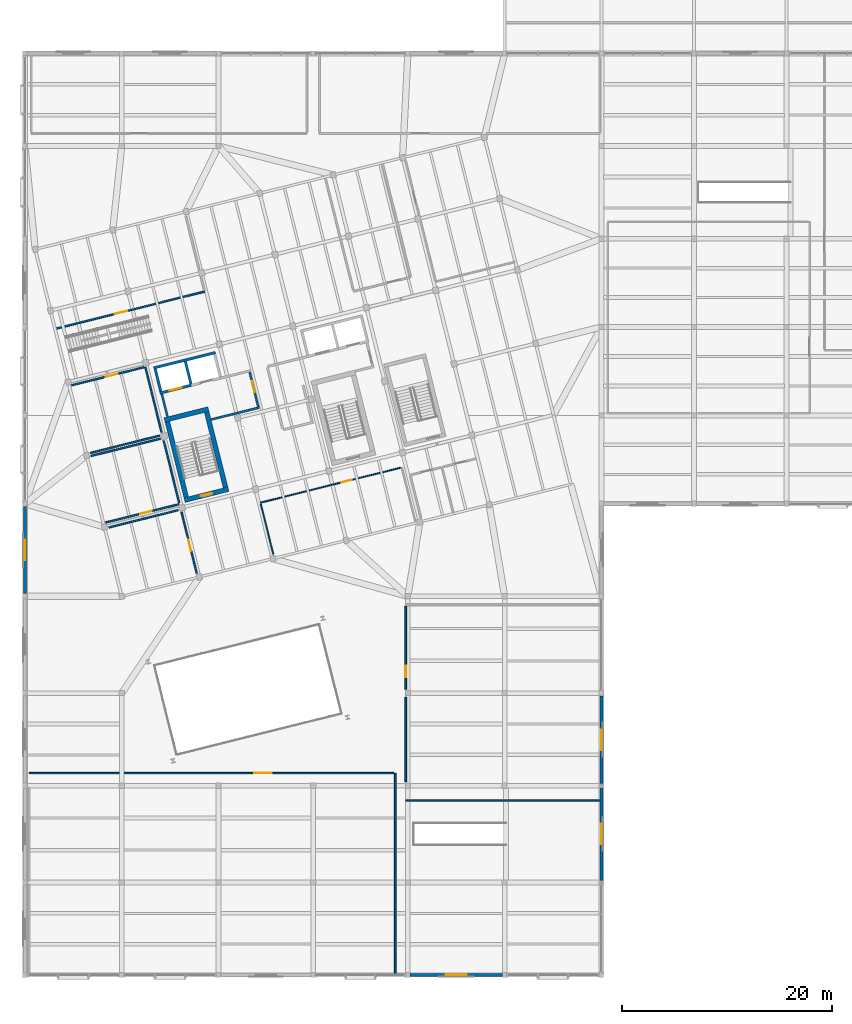
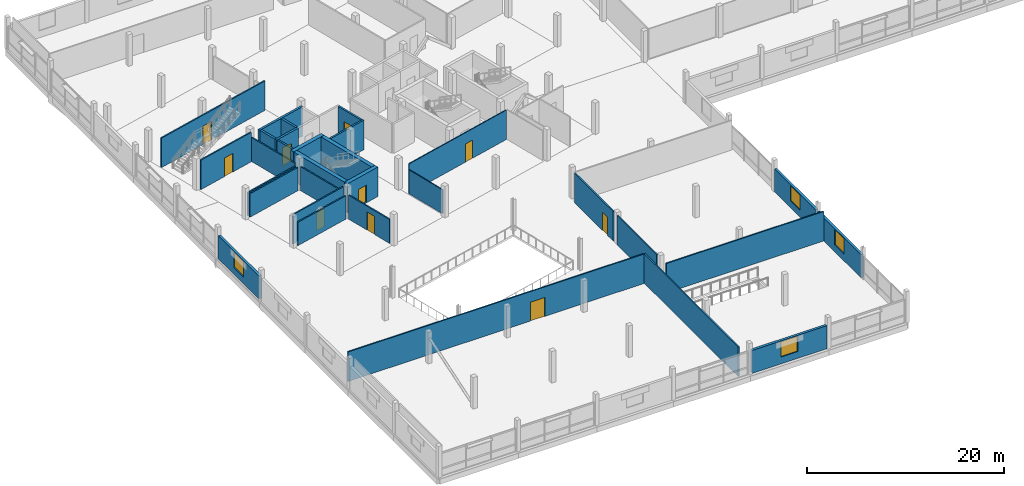
# One storey, part 51 of 62: 31 walls, 10 doors, 4 windows, 14 openings.
"""IFC4 building model written with IfcOpenShell, lengths in metres."""

from ifc_helpers import new_model, si_unit, direction, frame, frame_2d, origin, place, context, subcontext, project, spatial, rectangle, extrude, material, layer, layer_set, type_object, element, fill, save


model = new_model("IFC4")

# Units and contexts
model_context = context("Model", 3, precision=1e-05, world=origin(), true_north=direction((0.0, 1.0)))
body_context = subcontext(model_context, "Body", "Model", "MODEL_VIEW")
ifc_project = project(units=[si_unit("LENGTHUNIT", "METRE"), si_unit("AREAUNIT", "SQUARE_METRE"), si_unit("VOLUMEUNIT", "CUBIC_METRE"), si_unit("PLANEANGLEUNIT", "RADIAN"), si_unit("MASSUNIT", "GRAM", prefix="KILO")], contexts=[model_context])

# Site, building, storey
site_placement = place(None, origin())
site = spatial("IfcSite", under=ifc_project, at=site_placement, CompositionType="ELEMENT")
building_placement = place(site_placement, origin())
building = spatial("IfcBuilding", under=site, at=building_placement, Name="Meriwether Solvik Hall", CompositionType="ELEMENT")
storey_placement = place(building_placement, frame((0.0, 0.0, 14.39990234375)))
storey = spatial("IfcBuildingStorey", under=building, at=storey_placement, Name="L03", CompositionType="ELEMENT", Elevation=14.39990234375)

# Wall, opening, window
ifc_material_1 = material(Name="Cross-Laminated Timber and Mineral-Wool Insulation", Category="wood")
ifc_layer_1 = layer(ifc_material_1, 0.2900390625)
ifc_layer_set_1 = layer_set([ifc_layer_1], Name="Cross-Laminated Timber and Mineral-Wool Insulation")
wall_type_1 = type_object("IfcWallType", Name="WALL-EXT-290", PredefinedType="SOLIDWALL", material=ifc_layer_set_1)
wall_1_placement = place(storey_placement, frame((104.778076171875, 5.199951171875, 0.0), z_axis=(0.0, 0.0, 1.0), x_axis=(-1.0, 0.0, 0.0)))
wall_1 = element("IfcWall", 1, at=wall_1_placement, inside=storey, type_object=wall_type_1, Name="L03 S Wing Facade Wall XA_11_4", PredefinedType="SOLIDWALL", context=body_context, shape_type="SweptSolid", body=[
    extrude(rectangle(XDim=8.756103515625, YDim=0.2900390625, at=frame_2d((4.3779296875, 0.0))), origin(), (0.0, 0.0, 1.0), 2.85498046875),
])
opening_1_placement = place(wall_1_placement, frame((3.403076171875, 0.0, 0.85009765625)))
opening_1 = element("IfcOpeningElement", 2, at=opening_1_placement, cuts=wall_1, Name="Opening WN-158", PredefinedType="OPENING", context=body_context, shape_type="SweptSolid", body=[
    extrude(rectangle(XDim=1.949951171875, YDim=1.89990234375, at=frame_2d((0.97509765625, 0.949951171875))), frame((0.0, 0.156982421875, 0.0), z_axis=(0.0, -1.0, 0.0), x_axis=(1.0, 0.0, 0.0)), (0.0, 0.0, 1.0), 0.31396484375),
])
ifc_material_2 = material(Name="Thermally Broken Anodised Aluminium and Triple Low-E Glass", Category="aluminium")
window_type = type_object("IfcWindowType", Name="WIN-TW-LOW-195X190", PartitioningType="SINGLE_PANEL", PredefinedType="WINDOW", material=ifc_material_2)
window_1_placement = place(opening_1_placement, origin())
window_1 = element("IfcWindow", 3, at=window_1_placement, inside=storey, type_object=window_type, Name="L03 S Window XA_11_4", OverallHeight=1.89990234375, OverallWidth=1.949951171875, PartitioningType="SINGLE_PANEL", PredefinedType="WINDOW", context=body_context, shape_type="SweptSolid", body=[
    extrude(rectangle(XDim=1.949951171875, YDim=1.89990234375, at=frame_2d((0.97509765625, 0.949951171875))), frame((0.0, 0.030029296875, 0.0), z_axis=(0.0, -1.0, 0.0), x_axis=(1.0, 0.0, 0.0)), (0.0, 0.0, 1.0), 0.06005859375),
])
fill(opening_1, window_1)

wall_2_placement = place(storey_placement, frame((59.39990234375, 41.45947265625, 0.0), z_axis=(0.0, 0.0, 1.0), x_axis=(0.0, 1.0, 0.0)))
wall_2 = element("IfcWall", 4, at=wall_2_placement, inside=storey, type_object=wall_type_1, Name="L03 W Wing Facade Wall Y7_5_28", PredefinedType="SOLIDWALL", context=body_context, shape_type="SweptSolid", body=[
    extrude(rectangle(XDim=8.281005859375, YDim=0.2900390625, at=frame_2d((4.140625, 0.0))), origin(), (0.0, 0.0, 1.0), 2.85498046875),
])
opening_2_placement = place(wall_2_placement, frame((3.16552734375, 0.0, 0.85009765625)))
opening_2 = element("IfcOpeningElement", 5, at=opening_2_placement, cuts=wall_2, Name="Opening WN-158", PredefinedType="OPENING", context=body_context, shape_type="SweptSolid", body=[
    extrude(rectangle(XDim=1.949951171875, YDim=1.89990234375, at=frame_2d((0.97509765625, 0.949951171875))), frame((0.0, 0.156982421875, 0.0), z_axis=(0.0, -1.0, 0.0), x_axis=(1.0, 0.0, 0.0)), (0.0, 0.0, 1.0), 0.31396484375),
])
window_2_placement = place(opening_2_placement, origin())
window_2 = element("IfcWindow", 6, at=window_2_placement, inside=storey, type_object=window_type, Name="L03 W Window Y7_5_28", OverallHeight=1.89990234375, OverallWidth=1.949951171875, PartitioningType="SINGLE_PANEL", PredefinedType="WINDOW", context=body_context, shape_type="SweptSolid", body=[
    extrude(rectangle(XDim=1.949951171875, YDim=1.89990234375, at=frame_2d((0.97509765625, 0.949951171875))), frame((0.0, 0.030029296875, 0.0), z_axis=(0.0, -1.0, 0.0), x_axis=(1.0, 0.0, 0.0)), (0.0, 0.0, 1.0), 0.06005859375),
])
fill(opening_2, window_2)

wall_3_placement = place(storey_placement, frame((114.199951171875, 23.010009765625, 0.0), z_axis=(0.0, 0.0, 1.0), x_axis=(0.0, -1.0, 0.0)))
wall_3 = element("IfcWall", 7, at=wall_3_placement, inside=storey, type_object=wall_type_1, Name="L03 E Wing Facade Wall Y13_2_35", PredefinedType="SOLIDWALL", context=body_context, shape_type="SweptSolid", body=[
    extrude(rectangle(XDim=8.820068359375, YDim=0.2900390625, at=frame_2d((4.41015625, 0.0))), origin(), (0.0, 0.0, 1.0), 2.85498046875),
])
opening_3_placement = place(wall_3_placement, frame((3.43505859375, 0.0, 0.85009765625)))
opening_3 = element("IfcOpeningElement", 8, at=opening_3_placement, cuts=wall_3, Name="Opening WN-158", PredefinedType="OPENING", context=body_context, shape_type="SweptSolid", body=[
    extrude(rectangle(XDim=1.949951171875, YDim=1.89990234375, at=frame_2d((0.97509765625, 0.949951171875))), frame((0.0, 0.156982421875, 0.0), z_axis=(0.0, -1.0, 0.0), x_axis=(1.0, 0.0, 0.0)), (0.0, 0.0, 1.0), 0.31396484375),
])
window_3_placement = place(opening_3_placement, origin())
window_3 = element("IfcWindow", 9, at=window_3_placement, inside=storey, type_object=window_type, Name="L03 E Window Y13_2_35", OverallHeight=1.89990234375, OverallWidth=1.949951171875, PartitioningType="SINGLE_PANEL", PredefinedType="WINDOW", context=body_context, shape_type="SweptSolid", body=[
    extrude(rectangle(XDim=1.949951171875, YDim=1.89990234375, at=frame_2d((0.97509765625, 0.949951171875))), frame((0.0, 0.030029296875, 0.0), z_axis=(0.0, -1.0, 0.0), x_axis=(1.0, 0.0, 0.0)), (0.0, 0.0, 1.0), 0.06005859375),
])
fill(opening_3, window_3)

wall_4_placement = place(storey_placement, frame((114.199951171875, 31.740478515625, 0.0), z_axis=(0.0, 0.0, 1.0), x_axis=(0.0, -1.0, 0.0)))
wall_4 = element("IfcWall", 10, at=wall_4_placement, inside=storey, type_object=wall_type_1, Name="L03 E Wing Facade Wall Y13_3_36", PredefinedType="SOLIDWALL", context=body_context, shape_type="SweptSolid", body=[
    extrude(rectangle(XDim=8.3505859375, YDim=0.2900390625, at=frame_2d((4.17529296875, 0.0))), origin(), (0.0, 0.0, 1.0), 2.85498046875),
])
opening_4_placement = place(wall_4_placement, frame((3.2001953125, 0.0, 0.85009765625)))
opening_4 = element("IfcOpeningElement", 11, at=opening_4_placement, cuts=wall_4, Name="Opening WN-158", PredefinedType="OPENING", context=body_context, shape_type="SweptSolid", body=[
    extrude(rectangle(XDim=1.949951171875, YDim=1.89990234375, at=frame_2d((0.97509765625, 0.949951171875))), frame((0.0, 0.156982421875, 0.0), z_axis=(0.0, -1.0, 0.0), x_axis=(1.0, 0.0, 0.0)), (0.0, 0.0, 1.0), 0.31396484375),
])
window_4_placement = place(opening_4_placement, origin())
window_4 = element("IfcWindow", 12, at=window_4_placement, inside=storey, type_object=window_type, Name="L03 E Window Y13_3_36", OverallHeight=1.89990234375, OverallWidth=1.949951171875, PartitioningType="SINGLE_PANEL", PredefinedType="WINDOW", context=body_context, shape_type="SweptSolid", body=[
    extrude(rectangle(XDim=1.949951171875, YDim=1.89990234375, at=frame_2d((0.97509765625, 0.949951171875))), frame((0.0, 0.030029296875, 0.0), z_axis=(0.0, -1.0, 0.0), x_axis=(1.0, 0.0, 0.0)), (0.0, 0.0, 1.0), 0.06005859375),
])
fill(opening_4, window_4)

# Walls
ifc_material_3 = material(Name="Fire-Rated Type X Gypsum Board", Category="gypsum")
ifc_layer_2 = layer(ifc_material_3, 0.199951171875)
ifc_layer_set_2 = layer_set([ifc_layer_2], Name="Fire-Rated Type X Gypsum Board")
wall_type_2 = type_object("IfcWallType", Name="WALL-FIRE-200", PredefinedType="STANDARD", material=ifc_layer_set_2)
wall_5_placement = place(storey_placement, frame((72.94970703125, 58.269287109375, 0.0), z_axis=(0.0, 0.0, 1.0), x_axis=(-0.24194311862, 0.970290434536, 0.0)))
element("IfcWall", 13, at=wall_5_placement, inside=storey, type_object=wall_type_2, Name="L03 Interior Partition lb1_w", PredefinedType="STANDARD", context=body_context, shape_type="SweptSolid", body=[
    extrude(rectangle(XDim=2.22998046875, YDim=0.199951171875, at=frame_2d((1.114990234375, 0.0))), origin(), (0.0, 0.0, 1.0), 3.655029296875),
])
wall_6_placement = place(storey_placement, frame((77.096923828125, 58.0048828125, 0.0), z_axis=(0.0, 0.0, 1.0), x_axis=(0.970305892741, 0.241881116483, 0.0)))
element("IfcWall", 14, at=wall_6_placement, inside=storey, type_object=wall_type_2, Name="L03 Interior Partition lb1_s", PredefinedType="STANDARD", context=body_context, shape_type="SweptSolid", body=[
    extrude(rectangle(XDim=4.73974609375, YDim=0.199951171875, at=frame_2d((2.369873046875, 0.0))), origin(), (0.0, 0.0, 1.0), 3.655029296875),
])

# Wall, opening, door
wall_7_placement = place(storey_placement, frame((80.75732421875, 62.50390625, 0.0), z_axis=(0.0, 0.0, 1.0), x_axis=(0.241885902723, -0.970304699599, 0.0)))
wall_7 = element("IfcWall", 15, at=wall_7_placement, inside=storey, type_object=wall_type_2, Name="L03 Interior Partition lb1_e", PredefinedType="STANDARD", context=body_context, shape_type="SweptSolid", body=[
    extrude(rectangle(XDim=3.360107421875, YDim=0.199951171875, at=frame_2d((1.68017578125, 0.0))), origin(), (0.0, 0.0, 1.0), 3.655029296875),
])
opening_5_placement = place(wall_7_placement, frame((0.889892578125, 0.0, 0.0)))
opening_5 = element("IfcOpeningElement", 16, at=opening_5_placement, cuts=wall_7, Name="Opening D-168", PredefinedType="OPENING", context=body_context, shape_type="SweptSolid", body=[
    extrude(rectangle(XDim=1.10009765625, YDim=2.199951171875, at=frame_2d((0.550048828125, 1.10009765625))), frame((0.0, 0.11181640625, 0.0), z_axis=(0.0, -1.0, 0.0), x_axis=(1.0, 0.0, 0.0)), (0.0, 0.0, 1.0), 0.223876953125),
])
ifc_material_4 = material(Name="Steel A36 Galvanised", Category="steel")
door_type_1 = type_object("IfcDoorType", Name="DR-FD60-1100L", OperationType="SINGLE_SWING_LEFT", PredefinedType="DOOR", material=ifc_material_4)
door_1_placement = place(opening_5_placement, origin())
door_1 = element("IfcDoor", 17, at=door_1_placement, inside=storey, type_object=door_type_1, Name="West FSAE Lift Lobby Door (L03)", OperationType="SINGLE_SWING_LEFT", OverallHeight=2.199951171875, OverallWidth=1.10009765625, PredefinedType="DOOR", context=body_context, shape_type="SweptSolid", body=[
    extrude(rectangle(XDim=1.10009765625, YDim=2.199951171875, at=frame_2d((0.550048828125, 1.10009765625))), frame((0.0, 0.02490234375, 0.0), z_axis=(0.0, -1.0, 0.0), x_axis=(1.0, 0.0, 0.0)), (0.0, 0.0, 1.0), 0.050048828125),
])
fill(opening_5, door_1)

ifc_material_5 = material(Name="Tempered Laminated Glass in Anodised Aluminium Frame", Category="aluminium")
ifc_layer_3 = layer(ifc_material_5, 0.112060546875)
ifc_layer_set_3 = layer_set([ifc_layer_3], Name="Tempered Laminated Glass in Anodised Aluminium Frame")
wall_type_3 = type_object("IfcWallType", Name="WALL-GLZ-112", PredefinedType="PARTITIONING", material=ifc_layer_set_3)
wall_8_placement = place(storey_placement, frame((95.109619140625, 53.426513671875, 0.0), z_axis=(0.0, 0.0, 1.0), x_axis=(-0.970292931601, -0.241933104152, 0.0)))
wall_8 = element("IfcWall", 18, at=wall_8_placement, inside=storey, type_object=wall_type_3, Name="L03 Interior Partition sem_sc_n", PredefinedType="PARTITIONING", context=body_context, shape_type="SweptSolid", body=[
    extrude(rectangle(XDim=13.730224609375, YDim=0.112060546875, at=frame_2d((6.865234375, 0.0))), origin(), (0.0, 0.0, 1.0), 3.655029296875),
])
opening_6_placement = place(wall_8_placement, frame((4.781982421875, 0.0, 0.0)))
opening_6 = element("IfcOpeningElement", 19, at=opening_6_placement, cuts=wall_8, Name="Opening D-166", PredefinedType="OPENING", context=body_context, shape_type="SweptSolid", body=[
    extrude(rectangle(XDim=1.0, YDim=2.25, at=frame_2d((0.5, 1.125))), frame((0.0, 0.06787109375, 0.0), z_axis=(0.0, -1.0, 0.0), x_axis=(1.0, 0.0, 0.0)), (0.0, 0.0, 1.0), 0.135986328125),
])
ifc_material_6 = material(Name="Laminated Vision Glass and Solid White Oak Timber", Category="wood")
door_type_2 = type_object("IfcDoorType", Name="DR-OFF-1000L", OperationType="SINGLE_SWING_LEFT", PredefinedType="DOOR", material=ifc_material_6)
door_2_placement = place(opening_6_placement, origin())
door_2 = element("IfcDoor", 20, at=door_2_placement, inside=storey, type_object=door_type_2, Name="L03 South Study Room Door", OperationType="SINGLE_SWING_LEFT", OverallHeight=2.25, OverallWidth=1.0, PredefinedType="DOOR", context=body_context, shape_type="SweptSolid", body=[
    extrude(rectangle(XDim=1.0, YDim=2.25, at=frame_2d((0.5, 1.125))), frame((0.0, 0.02490234375, 0.0), z_axis=(0.0, -1.0, 0.0), x_axis=(1.0, 0.0, 0.0)), (0.0, 0.0, 1.0), 0.050048828125),
])
fill(opening_6, door_2)

# Walls
wall_9_placement = place(storey_placement, frame((81.81640625, 49.98828125, 0.0), z_axis=(0.0, 0.0, 1.0), x_axis=(0.241928260439, -0.970294139321, 0.0)))
element("IfcWall", 21, at=wall_9_placement, inside=storey, type_object=wall_type_3, Name="L03 Interior Partition sem_sc_w", PredefinedType="PARTITIONING", context=body_context, shape_type="SweptSolid", body=[
    extrude(rectangle(XDim=4.91845703125, YDim=0.112060546875, at=frame_2d((2.459228515625, 0.0))), origin(), (0.0, 0.0, 1.0), 2.97021484375),
])
ifc_material_7 = material(Name="Concrete C40/50", Category="concrete")
ifc_layer_4 = layer(ifc_material_7, 0.25)
ifc_layer_set_4 = layer_set([ifc_layer_4], Name="Concrete C40/50")
wall_type_4 = type_object("IfcWallType", Name="WALL-HOIST-250", PredefinedType="SHEAR", material=ifc_layer_set_4)
wall_10_placement = place(storey_placement, frame((77.509765625, 64.36865234375, 0.0), z_axis=(0.0, 0.0, 1.0), x_axis=(-0.970296596103, -0.241918406889, 0.0)))
element("IfcWall", 22, at=wall_10_placement, inside=storey, type_object=wall_type_4, Name="Hoistway BANK1 North Wall (L03)", PredefinedType="SHEAR", context=body_context, shape_type="SweptSolid", body=[
    extrude(rectangle(XDim=6.050048828125, YDim=0.25, at=frame_2d((3.02490234375, 0.0))), origin(), (0.0, 0.0, 1.0), 3.655029296875),
])
for number, where, z_axis, x_axis, name in (
    (23, (71.793212890625, 62.80419921875, 0.0), (0.0, 0.0, 1.0), (0.242008581424, -0.970274108959, 0.0), "Hoistway BANK1 West Wall (L03)"),
    (24, (75.18310546875, 61.402587890625, 0.0), (0.0, 0.0, 1.0), (-0.241903146974, 0.970300400641, 0.0), "Hoistway BANK1 Divider Pier (L03)"),
):
    element("IfcWall", number, at=place(storey_placement, frame(where, z_axis=z_axis, x_axis=x_axis)), inside=storey, type_object=wall_type_4, Name=name, PredefinedType="SHEAR", context=body_context, shape_type="SweptSolid", body=[
        extrude(rectangle(XDim=2.179931640625, YDim=0.25, at=frame_2d((1.08984375, 0.0))), origin(), (0.0, 0.0, 1.0), 3.655029296875),
    ])

# Wall, opening, door
wall_11_placement = place(storey_placement, frame((72.232177734375, 60.52783203125, 0.0), z_axis=(0.0, 0.0, 1.0), x_axis=(0.970296930481, 0.241917065747, 0.0)))
wall_11 = element("IfcWall", 25, at=wall_11_placement, inside=storey, type_object=wall_type_4, Name="Lift LF-01 Landing Wall (L03)", PredefinedType="SHEAR", context=body_context, shape_type="SweptSolid", body=[
    extrude(rectangle(XDim=3.06494140625, YDim=0.25, at=frame_2d((1.532470703125, 0.0))), origin(), (0.0, 0.0, 1.0), 3.655029296875),
])
opening_7_placement = place(wall_11_placement, frame((0.9326171875, 0.0, 0.0)))
opening_7 = element("IfcOpeningElement", 26, at=opening_7_placement, cuts=wall_11, Name="Opening LD-01", PredefinedType="OPENING", context=body_context, shape_type="SweptSolid", body=[
    extrude(rectangle(XDim=1.199951171875, YDim=2.199951171875, at=frame_2d((0.60009765625, 1.10009765625))), frame((0.0, 0.136962890625, 0.0), z_axis=(0.0, -1.0, 0.0), x_axis=(1.0, 0.0, 0.0)), (0.0, 0.0, 1.0), 0.27392578125),
])
ifc_material_8 = material(Name="Stainless Steel AISI 316", Category="steel")
door_type_3 = type_object("IfcDoorType", Name="DR-LIFT-FSAE", OperationType="DOUBLE_DOOR_SLIDING", PredefinedType="DOOR", material=ifc_material_8)
door_3_placement = place(opening_7_placement, origin())
door_3 = element("IfcDoor", 27, at=door_3_placement, inside=storey, type_object=door_type_3, Name="Lift Landing Door LF-01 (L03)", OperationType="DOUBLE_DOOR_SLIDING", OverallHeight=2.199951171875, OverallWidth=1.199951171875, PredefinedType="DOOR", context=body_context, shape_type="SweptSolid", body=[
    extrude(rectangle(XDim=1.199951171875, YDim=2.199951171875, at=frame_2d((0.60009765625, 1.10009765625))), frame((0.0, 0.02490234375, 0.0), z_axis=(0.0, -1.0, 0.0), x_axis=(1.0, 0.0, 0.0)), (0.0, 0.0, 1.0), 0.050048828125),
])
fill(opening_7, door_3)

# Wall
ifc_material_9 = material(Name="Gypsum Board Partition", Category="gypsum")
ifc_layer_5 = layer(ifc_material_9, 0.14990234375)
ifc_layer_set_5 = layer_set([ifc_layer_5], Name="Gypsum Board Partition")
wall_type_5 = type_object("IfcWallType", Name="WALL-PART-150", PredefinedType="PARTITIONING", material=ifc_layer_set_5)
wall_12_placement = place(storey_placement, frame((94.60009765625, 5.300048828125, 0.0), z_axis=(0.0, 0.0, 1.0), x_axis=(0.0, 1.0, 0.0)))
element("IfcWall", 28, at=wall_12_placement, inside=storey, type_object=wall_type_5, Name="L03 Interior Partition hum_301_e", PredefinedType="PARTITIONING", context=body_context, shape_type="SweptSolid", body=[
    extrude(rectangle(XDim=19.099853515625, YDim=0.14990234375, at=frame_2d((9.5498046875, 0.0))), origin(), (0.0, 0.0, 1.0), 3.655029296875),
])

# Wall, opening, door
wall_13_placement = place(storey_placement, frame((94.47998046875, 24.39990234375, 0.0), z_axis=(0.0, 0.0, 1.0), x_axis=(-1.0, 0.0, 0.0)))
wall_13 = element("IfcWall", 29, at=wall_13_placement, inside=storey, type_object=wall_type_5, Name="L03 Interior Partition hum_301_n", PredefinedType="PARTITIONING", context=body_context, shape_type="SweptSolid", body=[
    extrude(rectangle(XDim=34.679931640625, YDim=0.14990234375, at=frame_2d((17.33984375, 0.0))), origin(), (0.0, 0.0, 1.0), 3.655029296875),
])
opening_8_placement = place(wall_13_placement, frame((11.62548828125, 0.0, 0.0)))
opening_8 = element("IfcOpeningElement", 30, at=opening_8_placement, cuts=wall_13, Name="Opening D-137", PredefinedType="OPENING", context=body_context, shape_type="SweptSolid", body=[
    extrude(rectangle(XDim=1.64990234375, YDim=2.35009765625, at=frame_2d((0.824951171875, 1.175048828125))), frame((0.0, 0.0869140625, 0.0), z_axis=(0.0, -1.0, 0.0), x_axis=(1.0, 0.0, 0.0)), (0.0, 0.0, 1.0), 0.173828125),
])
ifc_material_10 = material(Name="Laminated Vision Glass and Solid White Oak Timber", Category="wood")
door_type_4 = type_object("IfcDoorType", Name="DR-INT-1650", OperationType="DOUBLE_DOOR_SINGLE_SWING", PredefinedType="DOOR", material=ifc_material_10)
door_4_placement = place(opening_8_placement, origin())
door_4 = element("IfcDoor", 31, at=door_4_placement, inside=storey, type_object=door_type_4, Name="Adult Humanities Classroom 301 Door", OperationType="DOUBLE_DOOR_SINGLE_SWING", OverallHeight=2.35009765625, OverallWidth=1.64990234375, PredefinedType="DOOR", context=body_context, shape_type="SweptSolid", body=[
    extrude(rectangle(XDim=1.64990234375, YDim=2.35009765625, at=frame_2d((0.824951171875, 1.175048828125))), frame((0.0, 0.02490234375, 0.0), z_axis=(0.0, -1.0, 0.0), x_axis=(1.0, 0.0, 0.0)), (0.0, 0.0, 1.0), 0.050048828125),
])
fill(opening_8, door_4)

# Wall
wall_14_placement = place(storey_placement, frame((95.60009765625, 21.800048828125, 0.0), z_axis=(0.0, 0.0, 1.0), x_axis=(1.0, 0.0, 0.0)))
element("IfcWall", 32, at=wall_14_placement, inside=storey, type_object=wall_type_5, Name="L03 Interior Partition pol_302_s", PredefinedType="PARTITIONING", context=body_context, shape_type="SweptSolid", body=[
    extrude(rectangle(XDim=18.449951171875, YDim=0.14990234375, at=frame_2d((9.22509765625, 0.0))), origin(), (0.0, 0.0, 1.0), 3.655029296875),
])

# Wall, opening, door
wall_15_placement = place(storey_placement, frame((95.60009765625, 40.280029296875, 0.0), z_axis=(0.0, 0.0, 1.0), x_axis=(0.0, -1.0, 0.0)))
wall_15 = element("IfcWall", 33, at=wall_15_placement, inside=storey, type_object=wall_type_5, Name="L03 Interior Partition pol_302_w", PredefinedType="PARTITIONING", context=body_context, shape_type="SweptSolid", body=[
    extrude(rectangle(XDim=7.890380859375, YDim=0.14990234375, at=frame_2d((3.9453125, 0.0))), origin(), (0.0, 0.0, 1.0), 3.655029296875),
])
opening_9_placement = place(wall_15_placement, frame((5.677978515625, 0.0, 0.0)))
opening_9 = element("IfcOpeningElement", 34, at=opening_9_placement, cuts=wall_15, Name="Opening D-134", PredefinedType="OPENING", context=body_context, shape_type="SweptSolid", body=[
    extrude(rectangle(XDim=1.10009765625, YDim=2.25, at=frame_2d((0.550048828125, 1.125))), frame((0.0, 0.0869140625, 0.0), z_axis=(0.0, -1.0, 0.0), x_axis=(1.0, 0.0, 0.0)), (0.0, 0.0, 1.0), 0.173828125),
])
ifc_material_11 = material(Name="Laminated Vision Glass and Solid White Oak Timber", Category="wood")
door_type_5 = type_object("IfcDoorType", Name="DR-CLS-1100L", OperationType="SINGLE_SWING_LEFT", PredefinedType="DOOR", material=ifc_material_11)
door_5_placement = place(opening_9_placement, origin())
door_5 = element("IfcDoor", 35, at=door_5_placement, inside=storey, type_object=door_type_5, Name="Civic Policy Seminar 302 Door", OperationType="SINGLE_SWING_LEFT", OverallHeight=2.25, OverallWidth=1.10009765625, PredefinedType="DOOR", context=body_context, shape_type="SweptSolid", body=[
    extrude(rectangle(XDim=1.10009765625, YDim=2.25, at=frame_2d((0.550048828125, 1.125))), frame((0.0, 0.02490234375, 0.0), z_axis=(0.0, -1.0, 0.0), x_axis=(1.0, 0.0, 0.0)), (0.0, 0.0, 1.0), 0.050048828125),
])
fill(opening_9, door_5)

# Wall
wall_16_placement = place(storey_placement, frame((95.60009765625, 31.6103515625, 0.0), z_axis=(0.0, 0.0, 1.0), x_axis=(0.0, -1.0, 0.0)))
element("IfcWall", 36, at=wall_16_placement, inside=storey, type_object=wall_type_5, Name="L03 Interior Partition pol_302_w_s2", PredefinedType="PARTITIONING", context=body_context, shape_type="SweptSolid", body=[
    extrude(rectangle(XDim=8.020751953125, YDim=0.14990234375, at=frame_2d((4.01025390625, 0.0))), origin(), (0.0, 0.0, 1.0), 3.655029296875),
])

# Wall, opening, door
wall_17_placement = place(storey_placement, frame((75.728759765625, 43.403564453125, 0.0), z_axis=(0.0, 0.0, 1.0), x_axis=(-0.24192989378, 0.970293732071, 0.0)))
wall_17 = element("IfcWall", 37, at=wall_17_placement, inside=storey, type_object=wall_type_5, Name="L03 Interior Partition cls_sw_e", PredefinedType="PARTITIONING", context=body_context, shape_type="SweptSolid", body=[
    extrude(rectangle(XDim=5.97509765625, YDim=0.14990234375, at=frame_2d((2.987548828125, 0.0))), origin(), (0.0, 0.0, 1.0), 2.97021484375),
])
opening_10_placement = place(wall_17_placement, frame((2.172119140625, 0.0, 0.0)))
opening_10 = element("IfcOpeningElement", 38, at=opening_10_placement, cuts=wall_17, Name="Opening D-134", PredefinedType="OPENING", context=body_context, shape_type="SweptSolid", body=[
    extrude(rectangle(XDim=1.10009765625, YDim=2.25, at=frame_2d((0.550048828125, 1.125))), frame((0.0, 0.0869140625, 0.0), z_axis=(0.0, -1.0, 0.0), x_axis=(1.0, 0.0, 0.0)), (0.0, 0.0, 1.0), 0.173828125),
])
door_6_placement = place(opening_10_placement, origin())
door_6 = element("IfcDoor", 39, at=door_6_placement, inside=storey, type_object=door_type_5, Name="L03 Seminar Classroom West Door", OperationType="SINGLE_SWING_LEFT", OverallHeight=2.25, OverallWidth=1.10009765625, PredefinedType="DOOR", context=body_context, shape_type="SweptSolid", body=[
    extrude(rectangle(XDim=1.10009765625, YDim=2.25, at=frame_2d((0.550048828125, 1.125))), frame((0.0, 0.02490234375, 0.0), z_axis=(0.0, -1.0, 0.0), x_axis=(1.0, 0.0, 0.0)), (0.0, 0.0, 1.0), 0.050048828125),
])
fill(opening_10, door_6)

# Wall
wall_18_placement = place(storey_placement, frame((73.96435546875, 49.39111328125, 0.0), z_axis=(0.0, 0.0, 1.0), x_axis=(-0.970292809139, -0.241933595297, 0.0)))
element("IfcWall", 40, at=wall_18_placement, inside=storey, type_object=wall_type_5, Name="L03 Interior Partition cls_sw_n", PredefinedType="PARTITIONING", context=body_context, shape_type="SweptSolid", body=[
    extrude(rectangle(XDim=6.775146484375, YDim=0.14990234375, at=frame_2d((3.3876953125, 0.0))), origin(), (0.0, 0.0, 1.0), 2.89501953125),
])

# Wall, opening, door
wall_19_placement = place(storey_placement, frame((67.07421875, 48.219482421875, 0.0), z_axis=(0.0, 0.0, 1.0), x_axis=(0.970300710949, 0.24190190229, 0.0)))
wall_19 = element("IfcWall", 41, at=wall_19_placement, inside=storey, type_object=wall_type_5, Name="L03 Interior Partition cls_mw_s", PredefinedType="PARTITIONING", context=body_context, shape_type="SweptSolid", body=[
    extrude(rectangle(XDim=7.16162109375, YDim=0.14990234375, at=frame_2d((3.580810546875, 0.0))), origin(), (0.0, 0.0, 1.0), 3.655029296875),
])
opening_11_placement = place(wall_19_placement, frame((3.39990234375, 0.0, 0.0)))
opening_11 = element("IfcOpeningElement", 42, at=opening_11_placement, cuts=wall_19, Name="Opening D-104", PredefinedType="OPENING", context=body_context, shape_type="SweptSolid", body=[
    extrude(rectangle(XDim=1.10009765625, YDim=2.25, at=frame_2d((0.550048828125, 1.125))), frame((0.0, 0.0869140625, 0.0), z_axis=(0.0, -1.0, 0.0), x_axis=(1.0, 0.0, 0.0)), (0.0, 0.0, 1.0), 0.173828125),
])
ifc_material_12 = material(Name="Laminated Vision Glass and Solid White Oak Timber", Category="wood")
door_type_6 = type_object("IfcDoorType", Name="DR-CLS-1100R", OperationType="SINGLE_SWING_RIGHT", PredefinedType="DOOR", material=ifc_material_12)
door_7_placement = place(opening_11_placement, origin())
door_7 = element("IfcDoor", 43, at=door_7_placement, inside=storey, type_object=door_type_6, Name="L03 Language Classroom Door", OperationType="SINGLE_SWING_RIGHT", OverallHeight=2.25, OverallWidth=1.10009765625, PredefinedType="DOOR", context=body_context, shape_type="SweptSolid", body=[
    extrude(rectangle(XDim=1.10009765625, YDim=2.25, at=frame_2d((0.550048828125, 1.125))), frame((0.0, 0.02490234375, 0.0), z_axis=(0.0, -1.0, 0.0), x_axis=(1.0, 0.0, 0.0)), (0.0, 0.0, 1.0), 0.050048828125),
])
fill(opening_11, door_7)

# Walls
wall_20_placement = place(storey_placement, frame((74.062744140625, 50.08544921875, 0.0), z_axis=(0.0, 0.0, 1.0), x_axis=(-0.241950623602, 0.970288563129, 0.0)))
element("IfcWall", 44, at=wall_20_placement, inside=storey, type_object=wall_type_5, Name="L03 Interior Partition cls_mw_e", PredefinedType="PARTITIONING", context=body_context, shape_type="SweptSolid", body=[
    extrude(rectangle(XDim=6.088623046875, YDim=0.14990234375, at=frame_2d((3.04443359375, 0.0))), origin(), (0.0, 0.0, 1.0), 2.97021484375),
])
for number, where, z_axis, x_axis, name in (
    (45, (72.270751953125, 56.18310546875, 0.0), (0.0, 0.0, 1.0), (-0.97029069988, -0.241942054482, 0.0), "L03 Interior Partition cls_mw_n"),
    (46, (65.62646484375, 54.835693359375, 0.0), (0.0, 0.0, 1.0), (0.970299158832, 0.241908127952, 0.0), "L03 Interior Partition cls_cw_s"),
):
    element("IfcWall", number, at=place(storey_placement, frame(where, z_axis=z_axis, x_axis=x_axis)), inside=storey, type_object=wall_type_5, Name=name, PredefinedType="PARTITIONING", context=body_context, shape_type="SweptSolid", body=[
        extrude(rectangle(XDim=6.77490234375, YDim=0.14990234375, at=frame_2d((3.387451171875, 0.0))), origin(), (0.0, 0.0, 1.0), 2.89501953125),
    ])
wall_21_placement = place(storey_placement, frame((72.39013671875, 56.793701171875, 0.0), z_axis=(0.0, 0.0, 1.0), x_axis=(-0.241922822951, 0.970295495061, 0.0)))
element("IfcWall", 47, at=wall_21_placement, inside=storey, type_object=wall_type_5, Name="L03 Interior Partition cls_cw_e", PredefinedType="PARTITIONING", context=body_context, shape_type="SweptSolid", body=[
    extrude(rectangle(XDim=6.375, YDim=0.14990234375, at=frame_2d((3.1875, 0.0))), origin(), (0.0, 0.0, 1.0), 2.97021484375),
])

# Wall, opening, door
wall_22_placement = place(storey_placement, frame((70.723876953125, 62.980712890625, 0.0), z_axis=(0.0, 0.0, 1.0), x_axis=(-0.970293813542, -0.241929567029, 0.0)))
wall_22 = element("IfcWall", 48, at=wall_22_placement, inside=storey, type_object=wall_type_5, Name="L03 Interior Partition cls_cw_n", PredefinedType="PARTITIONING", context=body_context, shape_type="SweptSolid", body=[
    extrude(rectangle(XDim=7.109375, YDim=0.14990234375, at=frame_2d((3.5546875, 0.0))), origin(), (0.0, 0.0, 1.0), 3.655029296875),
])
opening_12_placement = place(wall_22_placement, frame((2.60009765625, 0.0, 0.0)))
opening_12 = element("IfcOpeningElement", 49, at=opening_12_placement, cuts=wall_22, Name="Opening D-149", PredefinedType="OPENING", context=body_context, shape_type="SweptSolid", body=[
    extrude(rectangle(XDim=1.14990234375, YDim=2.300048828125, at=frame_2d((0.574951171875, 1.14990234375))), frame((0.0, 0.0869140625, 0.0), z_axis=(0.0, -1.0, 0.0), x_axis=(1.0, 0.0, 0.0)), (0.0, 0.0, 1.0), 0.173828125),
])
ifc_material_13 = material(Name="Laminated Vision Glass and Solid White Oak Timber", Category="wood")
door_type_7 = type_object("IfcDoorType", Name="DR-SEM-1150L", OperationType="SINGLE_SWING_LEFT", PredefinedType="DOOR", material=ifc_material_13)
door_8_placement = place(opening_12_placement, origin())
door_8 = element("IfcDoor", 50, at=door_8_placement, inside=storey, type_object=door_type_7, Name="L03 Humanities Classroom Door", OperationType="SINGLE_SWING_LEFT", OverallHeight=2.300048828125, OverallWidth=1.14990234375, PredefinedType="DOOR", context=body_context, shape_type="SweptSolid", body=[
    extrude(rectangle(XDim=1.14990234375, YDim=2.300048828125, at=frame_2d((0.574951171875, 1.14990234375))), frame((0.0, 0.02490234375, 0.0), z_axis=(0.0, -1.0, 0.0), x_axis=(1.0, 0.0, 0.0)), (0.0, 0.0, 1.0), 0.050048828125),
])
fill(opening_12, door_8)

wall_23_placement = place(storey_placement, frame((62.31982421875, 66.63623046875, 0.0), z_axis=(0.0, 0.0, 1.0), x_axis=(0.970293894173, 0.241929243644, 0.0)))
wall_23 = element("IfcWall", 51, at=wall_23_placement, inside=storey, type_object=wall_type_5, Name="L03 Interior Partition cls_nw1_s", PredefinedType="PARTITIONING", context=body_context, shape_type="SweptSolid", body=[
    extrude(rectangle(XDim=14.590087890625, YDim=0.14990234375, at=frame_2d((7.294921875, 0.0))), origin(), (0.0, 0.0, 1.0), 3.655029296875),
])
opening_13_placement = place(wall_23_placement, frame((5.817138671875, 0.0, 0.0)))
opening_13 = element("IfcOpeningElement", 52, at=opening_13_placement, cuts=wall_23, Name="Opening D-122", PredefinedType="OPENING", context=body_context, shape_type="SweptSolid", body=[
    extrude(rectangle(XDim=1.199951171875, YDim=2.300048828125, at=frame_2d((0.60009765625, 1.14990234375))), frame((0.0, 0.0869140625, 0.0), z_axis=(0.0, -1.0, 0.0), x_axis=(1.0, 0.0, 0.0)), (0.0, 0.0, 1.0), 0.173828125),
])
ifc_material_14 = material(Name="Solid-Core Rift White Oak Timber", Category="wood")
door_type_8 = type_object("IfcDoorType", Name="DR-STD-1200L", OperationType="SINGLE_SWING_LEFT", PredefinedType="DOOR", material=ifc_material_14)
door_9_placement = place(opening_13_placement, origin())
door_9 = element("IfcDoor", 53, at=door_9_placement, inside=storey, type_object=door_type_8, Name="L03 Studio Classroom North Door", OperationType="SINGLE_SWING_LEFT", OverallHeight=2.300048828125, OverallWidth=1.199951171875, PredefinedType="DOOR", context=body_context, shape_type="SweptSolid", body=[
    extrude(rectangle(XDim=1.199951171875, YDim=2.300048828125, at=frame_2d((0.60009765625, 1.14990234375))), frame((0.0, 0.02490234375, 0.0), z_axis=(0.0, -1.0, 0.0), x_axis=(1.0, 0.0, 0.0)), (0.0, 0.0, 1.0), 0.050048828125),
])
fill(opening_13, door_9)

ifc_material_15 = material(Name="Concrete C45/55", Category="concrete")
ifc_layer_6 = layer(ifc_material_15, 0.449951171875)
ifc_layer_set_6 = layer_set([ifc_layer_6], Name="Concrete C45/55")
wall_type_6 = type_object("IfcWallType", Name="WALL-RC-450", PredefinedType="SHEAR", material=ifc_layer_set_6)
wall_24_placement = place(storey_placement, frame((74.566162109375, 50.33984375, 0.0), z_axis=(0.0, 0.0, 1.0), x_axis=(0.970292610647, 0.241934391361, 0.0)))
wall_24 = element("IfcWall", 54, at=wall_24_placement, inside=storey, type_object=wall_type_6, Name="CORE-1 Shear Wall S (L03)", PredefinedType="SHEAR", context=body_context, shape_type="SweptSolid", body=[
    extrude(rectangle(XDim=4.2998046875, YDim=0.449951171875, at=frame_2d((2.14990234375, 0.0))), origin(), (0.0, 0.0, 1.0), 3.655029296875),
])
opening_14_placement = place(wall_24_placement, frame((1.574951171875, 0.0, 0.0)))
opening_14 = element("IfcOpeningElement", 55, at=opening_14_placement, cuts=wall_24, Name="Opening D-189", PredefinedType="OPENING", context=body_context, shape_type="SweptSolid", body=[
    extrude(rectangle(XDim=1.14990234375, YDim=2.199951171875, at=frame_2d((0.574951171875, 1.10009765625))), frame((0.0, 0.23681640625, 0.0), z_axis=(0.0, -1.0, 0.0), x_axis=(1.0, 0.0, 0.0)), (0.0, 0.0, 1.0), 0.473876953125),
])
ifc_material_16 = material(Name="Steel A36 Galvanised", Category="steel")
door_type_9 = type_object("IfcDoorType", Name="DR-FD90-1150L", OperationType="SINGLE_SWING_LEFT", PredefinedType="DOOR", material=ifc_material_16)
door_10_placement = place(opening_14_placement, origin())
door_10 = element("IfcDoor", 56, at=door_10_placement, inside=storey, type_object=door_type_9, Name="Stair ST-01 Smokeproof Exit Door (L03)", OperationType="SINGLE_SWING_LEFT", OverallHeight=2.199951171875, OverallWidth=1.14990234375, PredefinedType="DOOR", context=body_context, shape_type="SweptSolid", body=[
    extrude(rectangle(XDim=1.14990234375, YDim=2.199951171875, at=frame_2d((0.574951171875, 1.10009765625))), frame((0.0, 0.02490234375, 0.0), z_axis=(0.0, -1.0, 0.0), x_axis=(1.0, 0.0, 0.0)), (0.0, 0.0, 1.0), 0.050048828125),
])
fill(opening_14, door_10)

# Walls
wall_25_placement = place(storey_placement, frame((76.83935546875, 58.996826171875, 0.0), z_axis=(0.0, 0.0, 1.0), x_axis=(-0.970295933763, -0.241921063415, 0.0)))
element("IfcWall", 57, at=wall_25_placement, inside=storey, type_object=wall_type_6, Name="CORE-1 Shear Wall N (L03)", PredefinedType="SHEAR", context=body_context, shape_type="SweptSolid", body=[
    extrude(rectangle(XDim=4.300048828125, YDim=0.449951171875, at=frame_2d((2.14990234375, 0.0))), origin(), (0.0, 0.0, 1.0), 3.655029296875),
])
for number, where, z_axis, x_axis, name in (
    (58, (72.942138671875, 57.782958984375, 0.0), (0.0, 0.0, 1.0), (0.241928426141, -0.970294098006, 0.0), "CORE-1 Shear Wall W (L03)"),
    (59, (78.463134765625, 51.5537109375, 0.0), (0.0, 0.0, 1.0), (-0.241928426141, 0.970294098006, 0.0), "CORE-1 Shear Wall E (L03)"),
):
    element("IfcWall", number, at=place(storey_placement, frame(where, z_axis=z_axis, x_axis=x_axis)), inside=storey, type_object=wall_type_6, Name=name, PredefinedType="SHEAR", context=body_context, shape_type="SweptSolid", body=[
        extrude(rectangle(XDim=7.3798828125, YDim=0.449951171875, at=frame_2d((3.68994140625, 0.0))), origin(), (0.0, 0.0, 1.0), 3.655029296875),
    ])

save(model, "model.ifc")
